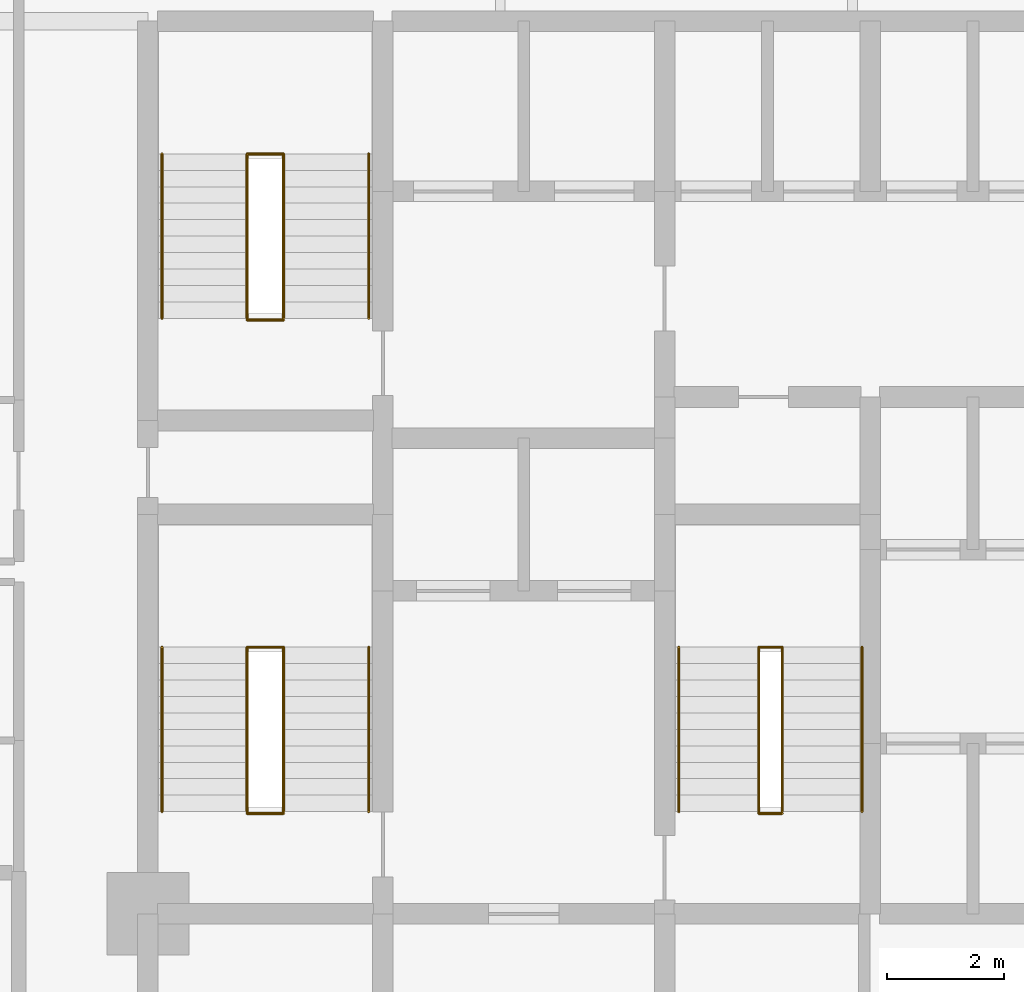
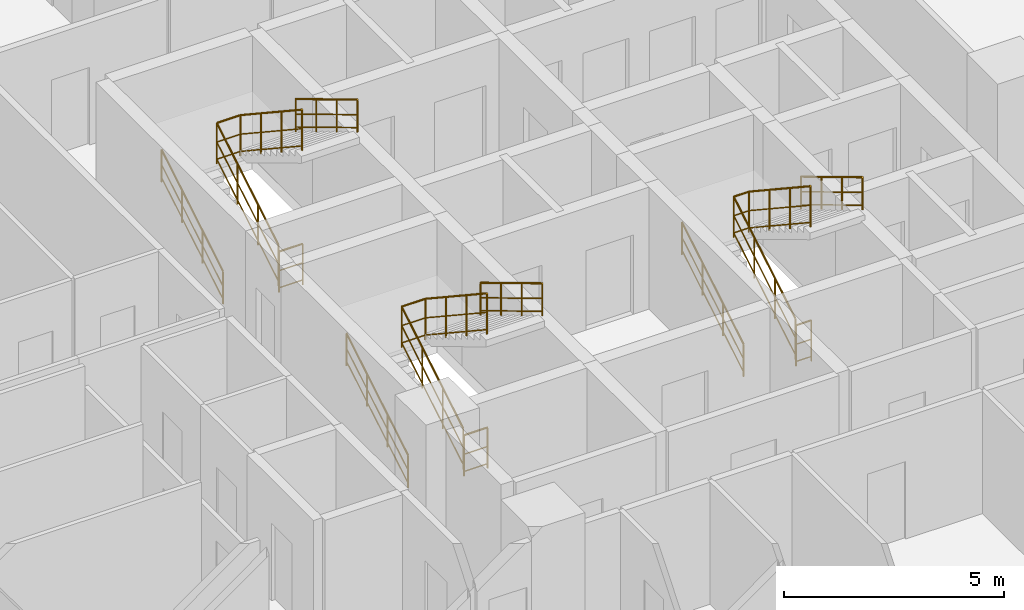
# One storey, part 33 of 33: 12 railings.
"""IFC4 building model written with IfcOpenShell, lengths in metres."""

from ifc_helpers import new_model, si_unit, direction, frame, origin, origin_2d, place, context, subcontext, project, spatial, circle, extrude, material, layer, layer_set, type_object, element, save


model = new_model("IFC4")

# Units and contexts
model_context = context("Model", 3, precision=1e-05, world=origin(), true_north=direction((0.0, 1.0)))
body_context = subcontext(model_context, "Body", "Model", "MODEL_VIEW")
ifc_project = project(units=[si_unit("LENGTHUNIT", "METRE"), si_unit("AREAUNIT", "SQUARE_METRE"), si_unit("VOLUMEUNIT", "CUBIC_METRE"), si_unit("PLANEANGLEUNIT", "RADIAN"), si_unit("MASSUNIT", "GRAM", prefix="KILO")], contexts=[model_context])

# Site, building, storey
site_placement = place(None, origin())
site = spatial("IfcSite", under=ifc_project, at=site_placement, CompositionType="ELEMENT")
building_placement = place(site_placement, origin())
building = spatial("IfcBuilding", under=site, at=building_placement, Name="Keshet Zoharim Tower", CompositionType="ELEMENT")
storey_placement = place(building_placement, frame((0.0, 0.0, 42.5)))
storey = spatial("IfcBuildingStorey", under=building, at=storey_placement, Name="L09", CompositionType="ELEMENT", Elevation=42.5)

# Railings
ifc_material = material(Name="Steel S355", Category="steel")
ifc_layer_1 = layer(ifc_material, 0.050048828125)
ifc_layer_set_1 = layer_set([ifc_layer_1], Name="Steel S355")
railing_type_1 = type_object("IfcRailingType", Name="RL-HND-092", PredefinedType="HANDRAIL", material=ifc_layer_set_1)
railing_1_placement = place(storey_placement, frame((15.239990234375, 24.43994140625, 0.168212890625)))
element("IfcRailing", 1, at=railing_1_placement, inside=storey, type_object=railing_type_1, Name="L09 ST-01 Flight 1 Wall Handrail", PredefinedType="HANDRAIL", context=body_context, shape_type="SweptSolid", body=[
    extrude(circle(Radius=0.02392578125, at=origin_2d()), frame((0.0, 0.0, 0.89599609375), z_axis=(0.0, 0.857242210791, 0.514913383045), x_axis=(-1.0, 0.0, 0.0)), (0.0, 0.0, 1.0), 3.266357421875),
    extrude(circle(Radius=0.01611328125, at=origin_2d()), frame((0.0, 0.0, 0.478271484375), z_axis=(0.0, 0.857242210791, 0.514913383045), x_axis=(-1.0, 0.0, 0.0)), (0.0, 0.0, 1.0), 3.266357421875),
    extrude(circle(Radius=0.01611328125, at=origin_2d()), frame((0.0, 0.0, 0.1201171875), z_axis=(0.0, 0.857242210791, 0.514913383045), x_axis=(-1.0, 0.0, 0.0)), (0.0, 0.0, 1.0), 3.266357421875),
    extrude(circle(Radius=0.02099609375, at=origin_2d()), origin(), (0.0, 0.0, 1.0), 0.871826171875),
    extrude(circle(Radius=0.02099609375, at=origin_2d()), frame((0.0, 0.933349609375, 0.560546875)), (0.0, 0.0, 1.0), 0.871826171875),
    extrude(circle(Radius=0.02099609375, at=origin_2d()), frame((0.0, 1.86669921875, 1.121337890625)), (0.0, 0.0, 1.0), 0.871826171875),
    extrude(circle(Radius=0.02099609375, at=origin_2d()), frame((0.0, 2.800048828125, 1.681884765625)), (0.0, 0.0, 1.0), 0.871826171875),
])
railing_2_placement = place(storey_placement, frame((18.760009765625, 27.239990234375, 2.018310546875)))
element("IfcRailing", 2, at=railing_2_placement, inside=storey, type_object=railing_type_1, Name="L09 ST-01 Flight 2 Wall Handrail", PredefinedType="HANDRAIL", context=body_context, shape_type="SweptSolid", body=[
    extrude(circle(Radius=0.02392578125, at=origin_2d()), frame((0.0, 0.0, 0.89599609375), z_axis=(0.0, -0.857275202839, 0.514858452973), x_axis=(1.0, 0.0, 0.0)), (0.0, 0.0, 1.0), 3.26611328125),
    extrude(circle(Radius=0.01611328125, at=origin_2d()), frame((0.0, 0.0, 0.478271484375), z_axis=(0.0, -0.857275202839, 0.514858452973), x_axis=(1.0, 0.0, 0.0)), (0.0, 0.0, 1.0), 3.26611328125),
    extrude(circle(Radius=0.01611328125, at=origin_2d()), frame((0.0, 0.0, 0.1201171875), z_axis=(0.0, -0.857275202839, 0.514858452973), x_axis=(1.0, 0.0, 0.0)), (0.0, 0.0, 1.0), 3.26611328125),
    extrude(circle(Radius=0.02099609375, at=origin_2d()), origin(), (0.0, 0.0, 1.0), 0.871826171875),
    extrude(circle(Radius=0.02099609375, at=origin_2d()), frame((0.0, -0.933349609375, 0.560546875)), (0.0, 0.0, 1.0), 0.871826171875),
    extrude(circle(Radius=0.02099609375, at=origin_2d()), frame((0.0, -1.86669921875, 1.12109375)), (0.0, 0.0, 1.0), 0.871826171875),
    extrude(circle(Radius=0.02099609375, at=origin_2d()), frame((0.0, -2.800048828125, 1.681640625)), (0.0, 0.0, 1.0), 0.871826171875),
])
railing_3_placement = place(storey_placement, frame((15.239990234375, 32.840087890625, 0.168212890625)))
element("IfcRailing", 3, at=railing_3_placement, inside=storey, type_object=railing_type_1, Name="L09 ST-02 Flight 1 Wall Handrail", PredefinedType="HANDRAIL", context=body_context, shape_type="SweptSolid", body=[
    extrude(circle(Radius=0.02392578125, at=origin_2d()), frame((0.0, 0.0, 0.89599609375), z_axis=(0.0, 0.857222391501, 0.514946377315), x_axis=(-1.0, 0.0, 0.0)), (0.0, 0.0, 1.0), 3.26611328125),
    extrude(circle(Radius=0.01611328125, at=origin_2d()), frame((0.0, 0.0, 0.478271484375), z_axis=(0.0, 0.857222391501, 0.514946377315), x_axis=(-1.0, 0.0, 0.0)), (0.0, 0.0, 1.0), 3.26611328125),
    extrude(circle(Radius=0.01611328125, at=origin_2d()), frame((0.0, 0.0, 0.1201171875), z_axis=(0.0, 0.857222391501, 0.514946377315), x_axis=(-1.0, 0.0, 0.0)), (0.0, 0.0, 1.0), 3.26611328125),
    extrude(circle(Radius=0.02099609375, at=origin_2d()), origin(), (0.0, 0.0, 1.0), 0.871826171875),
    extrude(circle(Radius=0.02099609375, at=origin_2d()), frame((0.0, 0.933349609375, 0.560546875)), (0.0, 0.0, 1.0), 0.871826171875),
    extrude(circle(Radius=0.02099609375, at=origin_2d()), frame((0.0, 1.866455078125, 1.121337890625)), (0.0, 0.0, 1.0), 0.871826171875),
    extrude(circle(Radius=0.02099609375, at=origin_2d()), frame((0.0, 2.7998046875, 1.681884765625)), (0.0, 0.0, 1.0), 0.871826171875),
])
railing_4_placement = place(storey_placement, frame((18.760009765625, 35.639892578125, 2.018310546875)))
element("IfcRailing", 4, at=railing_4_placement, inside=storey, type_object=railing_type_1, Name="L09 ST-02 Flight 2 Wall Handrail", PredefinedType="HANDRAIL", context=body_context, shape_type="SweptSolid", body=[
    extrude(circle(Radius=0.02392578125, at=origin_2d()), frame((0.0, 0.0, 0.89599609375), z_axis=(0.0, -0.857255387014, 0.514891446264), x_axis=(1.0, 0.0, 0.0)), (0.0, 0.0, 1.0), 3.26611328125),
    extrude(circle(Radius=0.01611328125, at=origin_2d()), frame((0.0, 0.0, 0.478271484375), z_axis=(0.0, -0.857255387014, 0.514891446264), x_axis=(1.0, 0.0, 0.0)), (0.0, 0.0, 1.0), 3.26611328125),
    extrude(circle(Radius=0.01611328125, at=origin_2d()), frame((0.0, 0.0, 0.1201171875), z_axis=(0.0, -0.857255387014, 0.514891446264), x_axis=(1.0, 0.0, 0.0)), (0.0, 0.0, 1.0), 3.26611328125),
    extrude(circle(Radius=0.02099609375, at=origin_2d()), origin(), (0.0, 0.0, 1.0), 0.871826171875),
    extrude(circle(Radius=0.02099609375, at=origin_2d()), frame((0.0, -0.933349609375, 0.560546875)), (0.0, 0.0, 1.0), 0.871826171875),
    extrude(circle(Radius=0.02099609375, at=origin_2d()), frame((0.0, -1.866455078125, 1.12109375)), (0.0, 0.0, 1.0), 0.871826171875),
    extrude(circle(Radius=0.02099609375, at=origin_2d()), frame((0.0, -2.7998046875, 1.681640625)), (0.0, 0.0, 1.0), 0.871826171875),
])
railing_5_placement = place(storey_placement, frame((24.0400390625, 24.43994140625, 0.168212890625)))
element("IfcRailing", 5, at=railing_5_placement, inside=storey, type_object=railing_type_1, Name="L09 ST-03 Flight 1 Wall Handrail", PredefinedType="HANDRAIL", context=body_context, shape_type="SweptSolid", body=[
    extrude(circle(Radius=0.02392578125, at=origin_2d()), frame((0.0, 0.0, 0.89599609375), z_axis=(0.0, 0.857242210791, 0.514913383045), x_axis=(-1.0, 0.0, 0.0)), (0.0, 0.0, 1.0), 3.266357421875),
    extrude(circle(Radius=0.01611328125, at=origin_2d()), frame((0.0, 0.0, 0.478271484375), z_axis=(0.0, 0.857242210791, 0.514913383045), x_axis=(-1.0, 0.0, 0.0)), (0.0, 0.0, 1.0), 3.266357421875),
    extrude(circle(Radius=0.01611328125, at=origin_2d()), frame((0.0, 0.0, 0.1201171875), z_axis=(0.0, 0.857242210791, 0.514913383045), x_axis=(-1.0, 0.0, 0.0)), (0.0, 0.0, 1.0), 3.266357421875),
    extrude(circle(Radius=0.02099609375, at=origin_2d()), origin(), (0.0, 0.0, 1.0), 0.871826171875),
    extrude(circle(Radius=0.02099609375, at=origin_2d()), frame((0.0, 0.933349609375, 0.560546875)), (0.0, 0.0, 1.0), 0.871826171875),
    extrude(circle(Radius=0.02099609375, at=origin_2d()), frame((0.0, 1.86669921875, 1.121337890625)), (0.0, 0.0, 1.0), 0.871826171875),
    extrude(circle(Radius=0.02099609375, at=origin_2d()), frame((0.0, 2.800048828125, 1.681884765625)), (0.0, 0.0, 1.0), 0.871826171875),
])
railing_6_placement = place(storey_placement, frame((27.159912109375, 27.239990234375, 2.018310546875)))
element("IfcRailing", 6, at=railing_6_placement, inside=storey, type_object=railing_type_1, Name="L09 ST-03 Flight 2 Wall Handrail", PredefinedType="HANDRAIL", context=body_context, shape_type="SweptSolid", body=[
    extrude(circle(Radius=0.02392578125, at=origin_2d()), frame((0.0, 0.0, 0.89599609375), z_axis=(0.0, -0.857275202839, 0.514858452973), x_axis=(1.0, 0.0, 0.0)), (0.0, 0.0, 1.0), 3.26611328125),
    extrude(circle(Radius=0.01611328125, at=origin_2d()), frame((0.0, 0.0, 0.478271484375), z_axis=(0.0, -0.857275202839, 0.514858452973), x_axis=(1.0, 0.0, 0.0)), (0.0, 0.0, 1.0), 3.26611328125),
    extrude(circle(Radius=0.01611328125, at=origin_2d()), frame((0.0, 0.0, 0.1201171875), z_axis=(0.0, -0.857275202839, 0.514858452973), x_axis=(1.0, 0.0, 0.0)), (0.0, 0.0, 1.0), 3.26611328125),
    extrude(circle(Radius=0.02099609375, at=origin_2d()), origin(), (0.0, 0.0, 1.0), 0.871826171875),
    extrude(circle(Radius=0.02099609375, at=origin_2d()), frame((0.0, -0.933349609375, 0.560546875)), (0.0, 0.0, 1.0), 0.871826171875),
    extrude(circle(Radius=0.02099609375, at=origin_2d()), frame((0.0, -1.86669921875, 1.12109375)), (0.0, 0.0, 1.0), 0.871826171875),
    extrude(circle(Radius=0.02099609375, at=origin_2d()), frame((0.0, -2.800048828125, 1.681640625)), (0.0, 0.0, 1.0), 0.871826171875),
])
ifc_layer_2 = layer(ifc_material, 0.06005859375)
ifc_layer_set_2 = layer_set([ifc_layer_2], Name="Steel S355")
railing_type_2 = type_object("IfcRailingType", Name="RL-STG-115", PredefinedType="GUARDRAIL", material=ifc_layer_set_2)
railing_7_placement = place(storey_placement, frame((16.68994140625, 24.43994140625, 0.168212890625)))
element("IfcRailing", 7, at=railing_7_placement, inside=storey, type_object=railing_type_2, Name="L09 ST-01 Inner Well Guardrail", PredefinedType="GUARDRAIL", context=body_context, shape_type="SweptSolid", body=[
    extrude(circle(Radius=0.02392578125, at=origin_2d()), frame((0.0, 0.0, 1.1259765625), z_axis=(0.0, 0.857242210791, 0.514913383045), x_axis=(-1.0, 0.0, 0.0)), (0.0, 0.0, 1.0), 3.266357421875),
    extrude(circle(Radius=0.01611328125, at=origin_2d()), frame((0.0, 0.0, 0.597900390625), z_axis=(0.0, 0.857242210791, 0.514913383045), x_axis=(-1.0, 0.0, 0.0)), (0.0, 0.0, 1.0), 3.266357421875),
    extrude(circle(Radius=0.01611328125, at=origin_2d()), frame((0.0, 0.0, 0.1201171875), z_axis=(0.0, 0.857242210791, 0.514913383045), x_axis=(-1.0, 0.0, 0.0)), (0.0, 0.0, 1.0), 3.266357421875),
    extrude(circle(Radius=0.02392578125, at=origin_2d()), frame((0.0, 2.800048828125, 2.8076171875), z_axis=(1.0, 0.0, 0.0), x_axis=(0.0, 1.0, 0.0)), (0.0, 0.0, 1.0), 0.6201171875),
    extrude(circle(Radius=0.01611328125, at=origin_2d()), frame((0.0, 2.800048828125, 2.27978515625), z_axis=(1.0, 0.0, 0.0), x_axis=(0.0, 1.0, 0.0)), (0.0, 0.0, 1.0), 0.6201171875),
    extrude(circle(Radius=0.01611328125, at=origin_2d()), frame((0.0, 2.800048828125, 1.802001953125), z_axis=(1.0, 0.0, 0.0), x_axis=(0.0, 1.0, 0.0)), (0.0, 0.0, 1.0), 0.6201171875),
    extrude(circle(Radius=0.02392578125, at=origin_2d()), frame((0.6201171875, 2.800048828125, 2.8076171875), z_axis=(0.0, -0.83435981716, 0.551220187865), x_axis=(1.0, 0.0, 0.0)), (0.0, 0.0, 1.0), 3.35595703125),
    extrude(circle(Radius=0.01611328125, at=origin_2d()), frame((0.6201171875, 2.800048828125, 2.27978515625), z_axis=(0.0, -0.83435981716, 0.551220187865), x_axis=(1.0, 0.0, 0.0)), (0.0, 0.0, 1.0), 3.35595703125),
    extrude(circle(Radius=0.01611328125, at=origin_2d()), frame((0.6201171875, 2.800048828125, 1.802001953125), z_axis=(0.0, -0.83435981716, 0.551220187865), x_axis=(1.0, 0.0, 0.0)), (0.0, 0.0, 1.0), 3.35595703125),
    extrude(circle(Radius=0.02099609375, at=origin_2d()), origin(), (0.0, 0.0, 1.0), 1.101806640625),
    extrude(circle(Radius=0.02099609375, at=origin_2d()), frame((0.0, 0.933349609375, 0.560546875)), (0.0, 0.0, 1.0), 1.101806640625),
    extrude(circle(Radius=0.02099609375, at=origin_2d()), frame((0.0, 1.86669921875, 1.121337890625)), (0.0, 0.0, 1.0), 1.101806640625),
    extrude(circle(Radius=0.02099609375, at=origin_2d()), frame((0.0, 2.800048828125, 1.681884765625)), (0.0, 0.0, 1.0), 1.101806640625),
    extrude(circle(Radius=0.02099609375, at=origin_2d()), frame((0.6201171875, 2.800048828125, 1.681884765625)), (0.0, 0.0, 1.0), 1.101806640625),
    extrude(circle(Radius=0.02099609375, at=origin_2d()), frame((0.6201171875, 1.86669921875, 2.298583984375)), (0.0, 0.0, 1.0), 1.101806640625),
    extrude(circle(Radius=0.02099609375, at=origin_2d()), frame((0.6201171875, 0.933349609375, 2.9150390625)), (0.0, 0.0, 1.0), 1.101806640625),
    extrude(circle(Radius=0.02099609375, at=origin_2d()), frame((0.6201171875, 0.0, 3.53173828125)), (0.0, 0.0, 1.0), 1.101806640625),
])
railing_8_placement = place(storey_placement, frame((16.68994140625, 24.409912109375, 0.0)))
element("IfcRailing", 8, at=railing_8_placement, inside=storey, type_object=railing_type_2, Name="L09 ST-01 Stairwell Floor Guardrail", PredefinedType="GUARDRAIL", context=body_context, shape_type="SweptSolid", body=[
    extrude(circle(Radius=0.02392578125, at=origin_2d()), frame((0.0, 0.0, 1.1259765625), z_axis=(1.0, 0.0, 0.0), x_axis=(0.0, 1.0, 0.0)), (0.0, 0.0, 1.0), 0.6201171875),
    extrude(circle(Radius=0.01611328125, at=origin_2d()), frame((0.0, 0.0, 0.597900390625), z_axis=(1.0, 0.0, 0.0), x_axis=(0.0, 1.0, 0.0)), (0.0, 0.0, 1.0), 0.6201171875),
    extrude(circle(Radius=0.01611328125, at=origin_2d()), frame((0.0, 0.0, 0.1201171875), z_axis=(1.0, 0.0, 0.0), x_axis=(0.0, 1.0, 0.0)), (0.0, 0.0, 1.0), 0.6201171875),
    extrude(circle(Radius=0.02099609375, at=origin_2d()), origin(), (0.0, 0.0, 1.0), 1.101806640625),
    extrude(circle(Radius=0.02099609375, at=origin_2d()), frame((0.6201171875, 0.0, 0.0)), (0.0, 0.0, 1.0), 1.101806640625),
])
railing_9_placement = place(storey_placement, frame((16.68994140625, 32.840087890625, 0.168212890625)))
element("IfcRailing", 9, at=railing_9_placement, inside=storey, type_object=railing_type_2, Name="L09 ST-02 Inner Well Guardrail", PredefinedType="GUARDRAIL", context=body_context, shape_type="SweptSolid", body=[
    extrude(circle(Radius=0.02392578125, at=origin_2d()), frame((0.0, 0.0, 1.1259765625), z_axis=(0.0, 0.857222391501, 0.514946377315), x_axis=(-1.0, 0.0, 0.0)), (0.0, 0.0, 1.0), 3.26611328125),
    extrude(circle(Radius=0.01611328125, at=origin_2d()), frame((0.0, 0.0, 0.597900390625), z_axis=(0.0, 0.857222391501, 0.514946377315), x_axis=(-1.0, 0.0, 0.0)), (0.0, 0.0, 1.0), 3.26611328125),
    extrude(circle(Radius=0.01611328125, at=origin_2d()), frame((0.0, 0.0, 0.1201171875), z_axis=(0.0, 0.857222391501, 0.514946377315), x_axis=(-1.0, 0.0, 0.0)), (0.0, 0.0, 1.0), 3.26611328125),
    extrude(circle(Radius=0.02392578125, at=origin_2d()), frame((0.0, 2.7998046875, 2.8076171875), z_axis=(1.0, 0.0, 0.0), x_axis=(0.0, 1.0, 0.0)), (0.0, 0.0, 1.0), 0.6201171875),
    extrude(circle(Radius=0.01611328125, at=origin_2d()), frame((0.0, 2.7998046875, 2.27978515625), z_axis=(1.0, 0.0, 0.0), x_axis=(0.0, 1.0, 0.0)), (0.0, 0.0, 1.0), 0.6201171875),
    extrude(circle(Radius=0.01611328125, at=origin_2d()), frame((0.0, 2.7998046875, 1.802001953125), z_axis=(1.0, 0.0, 0.0), x_axis=(0.0, 1.0, 0.0)), (0.0, 0.0, 1.0), 0.6201171875),
    extrude(circle(Radius=0.02392578125, at=origin_2d()), frame((0.6201171875, 2.7998046875, 2.8076171875), z_axis=(0.0, -0.834337710781, 0.551253647941), x_axis=(1.0, 0.0, 0.0)), (0.0, 0.0, 1.0), 3.355712890625),
    extrude(circle(Radius=0.01611328125, at=origin_2d()), frame((0.6201171875, 2.7998046875, 2.27978515625), z_axis=(0.0, -0.834337710781, 0.551253647941), x_axis=(1.0, 0.0, 0.0)), (0.0, 0.0, 1.0), 3.355712890625),
    extrude(circle(Radius=0.01611328125, at=origin_2d()), frame((0.6201171875, 2.7998046875, 1.802001953125), z_axis=(0.0, -0.834337710781, 0.551253647941), x_axis=(1.0, 0.0, 0.0)), (0.0, 0.0, 1.0), 3.355712890625),
    extrude(circle(Radius=0.02099609375, at=origin_2d()), origin(), (0.0, 0.0, 1.0), 1.101806640625),
    extrude(circle(Radius=0.02099609375, at=origin_2d()), frame((0.0, 0.933349609375, 0.560546875)), (0.0, 0.0, 1.0), 1.101806640625),
    extrude(circle(Radius=0.02099609375, at=origin_2d()), frame((0.0, 1.866455078125, 1.121337890625)), (0.0, 0.0, 1.0), 1.101806640625),
    extrude(circle(Radius=0.02099609375, at=origin_2d()), frame((0.0, 2.7998046875, 1.681884765625)), (0.0, 0.0, 1.0), 1.101806640625),
    extrude(circle(Radius=0.02099609375, at=origin_2d()), frame((0.6201171875, 2.7998046875, 1.681884765625)), (0.0, 0.0, 1.0), 1.101806640625),
    extrude(circle(Radius=0.02099609375, at=origin_2d()), frame((0.6201171875, 1.866455078125, 2.298583984375)), (0.0, 0.0, 1.0), 1.101806640625),
    extrude(circle(Radius=0.02099609375, at=origin_2d()), frame((0.6201171875, 0.933349609375, 2.9150390625)), (0.0, 0.0, 1.0), 1.101806640625),
    extrude(circle(Radius=0.02099609375, at=origin_2d()), frame((0.6201171875, 0.0, 3.53173828125)), (0.0, 0.0, 1.0), 1.101806640625),
])
railing_10_placement = place(storey_placement, frame((16.68994140625, 32.81005859375, 0.0)))
element("IfcRailing", 10, at=railing_10_placement, inside=storey, type_object=railing_type_2, Name="L09 ST-02 Stairwell Floor Guardrail", PredefinedType="GUARDRAIL", context=body_context, shape_type="SweptSolid", body=[
    extrude(circle(Radius=0.02392578125, at=origin_2d()), frame((0.0, 0.0, 1.1259765625), z_axis=(1.0, 0.0, 0.0), x_axis=(0.0, 1.0, 0.0)), (0.0, 0.0, 1.0), 0.6201171875),
    extrude(circle(Radius=0.01611328125, at=origin_2d()), frame((0.0, 0.0, 0.597900390625), z_axis=(1.0, 0.0, 0.0), x_axis=(0.0, 1.0, 0.0)), (0.0, 0.0, 1.0), 0.6201171875),
    extrude(circle(Radius=0.01611328125, at=origin_2d()), frame((0.0, 0.0, 0.1201171875), z_axis=(1.0, 0.0, 0.0), x_axis=(0.0, 1.0, 0.0)), (0.0, 0.0, 1.0), 0.6201171875),
    extrude(circle(Radius=0.02099609375, at=origin_2d()), origin(), (0.0, 0.0, 1.0), 1.101806640625),
    extrude(circle(Radius=0.02099609375, at=origin_2d()), frame((0.6201171875, 0.0, 0.0)), (0.0, 0.0, 1.0), 1.101806640625),
])
railing_11_placement = place(storey_placement, frame((25.39990234375, 24.43994140625, 0.168212890625)))
element("IfcRailing", 11, at=railing_11_placement, inside=storey, type_object=railing_type_2, Name="L09 ST-03 Inner Well Guardrail", PredefinedType="GUARDRAIL", context=body_context, shape_type="SweptSolid", body=[
    extrude(circle(Radius=0.02392578125, at=origin_2d()), frame((0.0, 0.0, 1.1259765625), z_axis=(0.0, 0.857242210791, 0.514913383045), x_axis=(-1.0, 0.0, 0.0)), (0.0, 0.0, 1.0), 3.266357421875),
    extrude(circle(Radius=0.01611328125, at=origin_2d()), frame((0.0, 0.0, 0.597900390625), z_axis=(0.0, 0.857242210791, 0.514913383045), x_axis=(-1.0, 0.0, 0.0)), (0.0, 0.0, 1.0), 3.266357421875),
    extrude(circle(Radius=0.01611328125, at=origin_2d()), frame((0.0, 0.0, 0.1201171875), z_axis=(0.0, 0.857242210791, 0.514913383045), x_axis=(-1.0, 0.0, 0.0)), (0.0, 0.0, 1.0), 3.266357421875),
    extrude(circle(Radius=0.02392578125, at=origin_2d()), frame((0.0, 2.800048828125, 2.8076171875), z_axis=(1.0, 0.0, 0.0), x_axis=(0.0, 1.0, 0.0)), (0.0, 0.0, 1.0), 0.400146484375),
    extrude(circle(Radius=0.01611328125, at=origin_2d()), frame((0.0, 2.800048828125, 2.27978515625), z_axis=(1.0, 0.0, 0.0), x_axis=(0.0, 1.0, 0.0)), (0.0, 0.0, 1.0), 0.400146484375),
    extrude(circle(Radius=0.01611328125, at=origin_2d()), frame((0.0, 2.800048828125, 1.802001953125), z_axis=(1.0, 0.0, 0.0), x_axis=(0.0, 1.0, 0.0)), (0.0, 0.0, 1.0), 0.400146484375),
    extrude(circle(Radius=0.02392578125, at=origin_2d()), frame((0.400146484375, 2.800048828125, 2.8076171875), z_axis=(0.0, -0.83435981716, 0.551220187865), x_axis=(1.0, 0.0, 0.0)), (0.0, 0.0, 1.0), 3.35595703125),
    extrude(circle(Radius=0.01611328125, at=origin_2d()), frame((0.400146484375, 2.800048828125, 2.27978515625), z_axis=(0.0, -0.83435981716, 0.551220187865), x_axis=(1.0, 0.0, 0.0)), (0.0, 0.0, 1.0), 3.35595703125),
    extrude(circle(Radius=0.01611328125, at=origin_2d()), frame((0.400146484375, 2.800048828125, 1.802001953125), z_axis=(0.0, -0.83435981716, 0.551220187865), x_axis=(1.0, 0.0, 0.0)), (0.0, 0.0, 1.0), 3.35595703125),
    extrude(circle(Radius=0.02099609375, at=origin_2d()), origin(), (0.0, 0.0, 1.0), 1.101806640625),
    extrude(circle(Radius=0.02099609375, at=origin_2d()), frame((0.0, 0.933349609375, 0.560546875)), (0.0, 0.0, 1.0), 1.101806640625),
    extrude(circle(Radius=0.02099609375, at=origin_2d()), frame((0.0, 1.86669921875, 1.121337890625)), (0.0, 0.0, 1.0), 1.101806640625),
    extrude(circle(Radius=0.02099609375, at=origin_2d()), frame((0.0, 2.800048828125, 1.681884765625)), (0.0, 0.0, 1.0), 1.101806640625),
    extrude(circle(Radius=0.02099609375, at=origin_2d()), frame((0.400146484375, 2.800048828125, 1.681884765625)), (0.0, 0.0, 1.0), 1.101806640625),
    extrude(circle(Radius=0.02099609375, at=origin_2d()), frame((0.400146484375, 1.86669921875, 2.298583984375)), (0.0, 0.0, 1.0), 1.101806640625),
    extrude(circle(Radius=0.02099609375, at=origin_2d()), frame((0.400146484375, 0.933349609375, 2.9150390625)), (0.0, 0.0, 1.0), 1.101806640625),
    extrude(circle(Radius=0.02099609375, at=origin_2d()), frame((0.400146484375, 0.0, 3.53173828125)), (0.0, 0.0, 1.0), 1.101806640625),
])
railing_12_placement = place(storey_placement, frame((25.39990234375, 24.409912109375, 0.0)))
element("IfcRailing", 12, at=railing_12_placement, inside=storey, type_object=railing_type_2, Name="L09 ST-03 Stairwell Floor Guardrail", PredefinedType="GUARDRAIL", context=body_context, shape_type="SweptSolid", body=[
    extrude(circle(Radius=0.02392578125, at=origin_2d()), frame((0.0, 0.0, 1.1259765625), z_axis=(1.0, 0.0, 0.0), x_axis=(0.0, 1.0, 0.0)), (0.0, 0.0, 1.0), 0.400146484375),
    extrude(circle(Radius=0.01611328125, at=origin_2d()), frame((0.0, 0.0, 0.597900390625), z_axis=(1.0, 0.0, 0.0), x_axis=(0.0, 1.0, 0.0)), (0.0, 0.0, 1.0), 0.400146484375),
    extrude(circle(Radius=0.01611328125, at=origin_2d()), frame((0.0, 0.0, 0.1201171875), z_axis=(1.0, 0.0, 0.0), x_axis=(0.0, 1.0, 0.0)), (0.0, 0.0, 1.0), 0.400146484375),
    extrude(circle(Radius=0.02099609375, at=origin_2d()), origin(), (0.0, 0.0, 1.0), 1.101806640625),
    extrude(circle(Radius=0.02099609375, at=origin_2d()), frame((0.400146484375, 0.0, 0.0)), (0.0, 0.0, 1.0), 1.101806640625),
])

save(model, "model.ifc")
